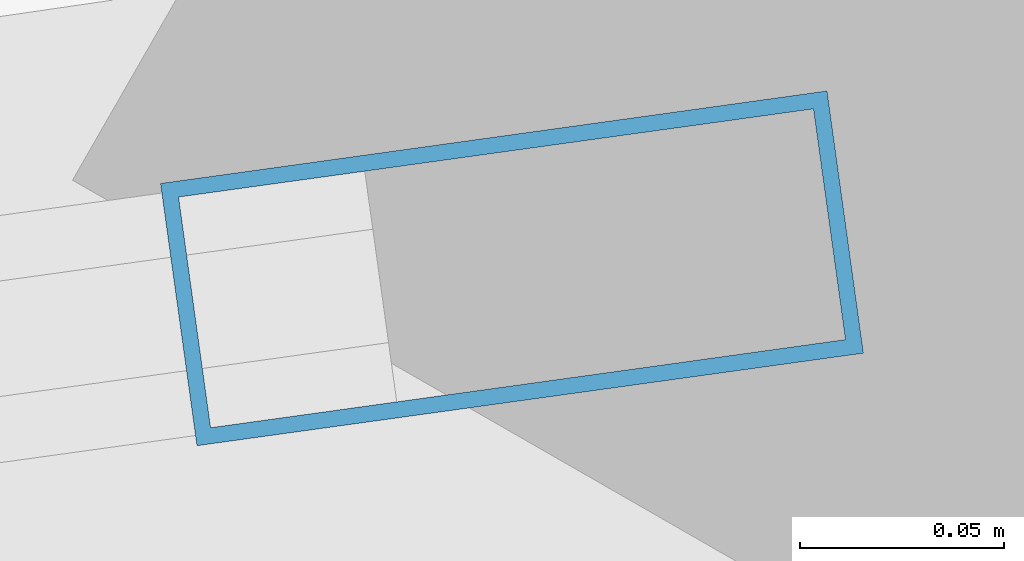
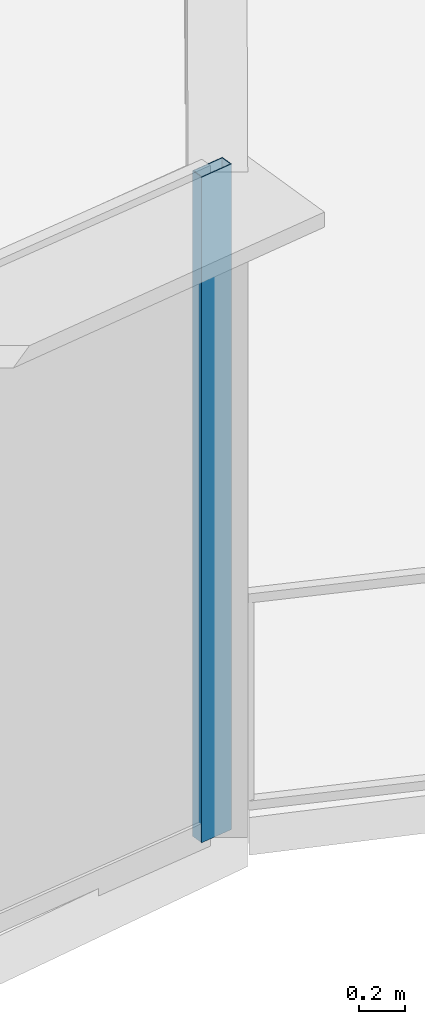
# One storey, part 20 of 37: 1 member, 1 element without a shape of its own.
"""IFC4 building model written with IfcOpenShell, lengths in metres."""

from ifc_helpers import new_model, si_unit, direction, frame, origin, origin_2d, place, context, subcontext, project, spatial, hollow_rectangle, extrude, source, transform, mapped, material, layer, layer_set, material_profile, profile_set, type_object, element, aggregate, save


model = new_model("IFC4")

# Units and contexts
model_context = context("Model", 3, precision=1e-05, world=origin(), true_north=direction((0.0, 1.0)))
body_context = subcontext(model_context, "Body", "Model", "MODEL_VIEW")
ifc_project = project(units=[si_unit("LENGTHUNIT", "METRE"), si_unit("AREAUNIT", "SQUARE_METRE"), si_unit("VOLUMEUNIT", "CUBIC_METRE"), si_unit("PLANEANGLEUNIT", "RADIAN"), si_unit("MASSUNIT", "GRAM", prefix="KILO"), si_unit("THERMODYNAMICTEMPERATUREUNIT", "KELVIN"), si_unit("POWERUNIT", "WATT")], contexts=[model_context])

# Site, building, storey
site_placement = place(None, origin())
site = spatial("IfcSite", under=ifc_project, at=site_placement, CompositionType="ELEMENT")
building_placement = place(site_placement, origin())
building = spatial("IfcBuilding", under=site, at=building_placement, Name="Yunzhuo Pagoda Commons", CompositionType="ELEMENT")
storey_placement = place(building_placement, frame((0.0, 0.0, 84.97998046875)))
storey = spatial("IfcBuildingStorey", under=building, at=storey_placement, Name="L21", CompositionType="ELEMENT", Elevation=84.97998046875)

# Curtain wall, member
ifc_material = material(Name="Anodized aluminium 6063-T6", Category="aluminium")
ifc_layer = layer(ifc_material, 0.1650390625)
ifc_layer_set = layer_set([ifc_layer], Name="Anodized aluminium 6063-T6")
curtain_wall_type = type_object("IfcCurtainWallType", Name="CW-LOW Low-Zone Ribbon Curtain Wall", PredefinedType="NOTDEFINED", material=ifc_layer_set)
curtain_wall_placement = place(storey_placement, origin())
curtain_wall = element("IfcCurtainWall", 1, at=curtain_wall_placement, inside=storey, type_object=curtain_wall_type, Name="L21 curtain wall CW-L21-F1B5", PredefinedType="NOTDEFINED")
ifc_material_profile = material_profile(ifc_material, hollow_rectangle(XDim=0.06494140625, YDim=0.1650390625, WallThickness=0.00390625, at=origin_2d()), Name="Anodized aluminium 6063-T6")
ifc_profile_set = profile_set([ifc_material_profile], Name="Anodized aluminium 6063-T6")
member_type = type_object("IfcMemberType", Name="CW-LOW-M Mullion RHS 165x65x4", PredefinedType="MULLION", material=ifc_profile_set)
shared_shape = source(origin(), body_context, "Body", "SweptSolid", [
    extrude(hollow_rectangle(XDim=0.06494140625, YDim=0.1650390625, WallThickness=0.00390625, at=origin_2d()), origin(), (0.0, 0.0, 1.0), 3.5400390625),
])
member_placement = place(storey_placement, frame((85.505126953125, 15.00634765625, 0.000244140625), z_axis=(0.0, 0.0, 1.0), x_axis=(-0.137495700118, 0.990502363677, 0.0)))
member = element("IfcMember", 2, at=member_placement, type_object=member_type, Name="CW mullion 2", PredefinedType="MULLION", context=body_context, shape_type="MappedRepresentation", body=[
    mapped(shared_shape, transform((0.0, 0.0, 0.0), scale=1.0)),
])
aggregate(curtain_wall, [member])

save(model, "model.ifc")
